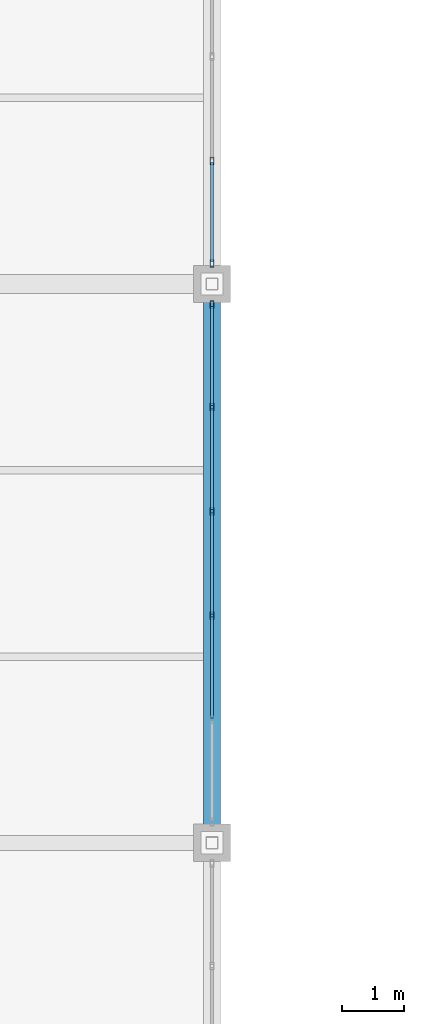
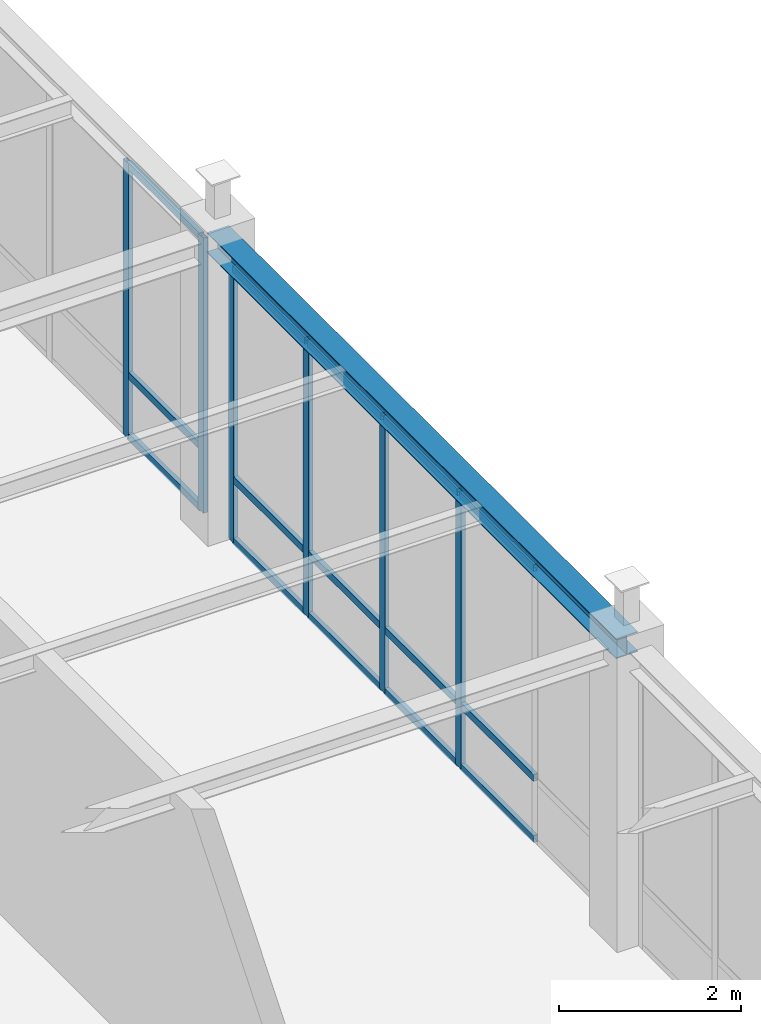
# One storey, part 53 of 97: 21 members, 1 beam, 2 elements without a shape of their own.
"""IFC4 building model written with IfcOpenShell, lengths in metres."""

from ifc_helpers import new_model, si_unit, direction, frame, origin, origin_2d, place, context, subcontext, project, spatial, hollow_rectangle, i_section, extrude, material, material_profile, profile_set, type_object, element, aggregate, save


model = new_model("IFC4")

# Units and contexts
model_context = context("Model", 3, precision=1e-05, world=origin(), true_north=direction((0.0, 1.0)))
body_context = subcontext(model_context, "Body", "Model", "MODEL_VIEW")
ifc_project = project(units=[si_unit("LENGTHUNIT", "METRE"), si_unit("AREAUNIT", "SQUARE_METRE"), si_unit("VOLUMEUNIT", "CUBIC_METRE"), si_unit("PLANEANGLEUNIT", "RADIAN"), si_unit("MASSUNIT", "GRAM", prefix="KILO")], contexts=[model_context])

# Site, building, storey
site_placement = place(None, origin())
site = spatial("IfcSite", under=ifc_project, at=site_placement, CompositionType="ELEMENT")
building_placement = place(site_placement, origin())
building = spatial("IfcBuilding", under=site, at=building_placement, Name="Lykobir Media Centre", CompositionType="ELEMENT")
storey_placement = place(building_placement, frame((0.0, 0.0, 23.39990234375)))
storey = spatial("IfcBuildingStorey", under=building, at=storey_placement, Name="L05", CompositionType="ELEMENT", Elevation=23.39990234375)

# Beam
ifc_material_1 = material(Name="Steel S355", Category="steel")
ifc_material_profile_1 = material_profile(ifc_material_1, i_section(OverallWidth=0.280029296875, OverallDepth=0.27001953125, WebThickness=0.008056640625, FlangeThickness=0.012939453125, at=origin_2d()), Name="HEA 280")
ifc_profile_set_1 = profile_set([ifc_material_profile_1], Name="Steel S355")
beam_type = type_object("IfcBeamType", Name="BM-HEA280", PredefinedType="BEAM", material=ifc_profile_set_1)
beam_placement = place(storey_placement, frame((99.0, 45.0, 3.84521484375), z_axis=(0.0, 1.0, 0.0), x_axis=(-1.0, 0.0, 0.0)))
element("IfcBeam", 1, at=beam_placement, inside=storey, type_object=beam_type, Name="Beam BM-L05-0990-0450-0990-0540-2724", PredefinedType="BEAM", context=body_context, shape_type="SweptSolid", body=[
    extrude(i_section(OverallWidth=0.280029296875, OverallDepth=0.27001953125, WebThickness=0.008056640625, FlangeThickness=0.012939453125, at=origin_2d()), origin(), (0.0, 0.0, 1.0), 9.0),
])

# Curtain wall, members
ifc_material_2 = material(Name="Anodized Aluminium AW-6060", Category="aluminium")
curtain_wall_type = type_object("IfcCurtainWallType", Name="CW-COURT-B", PredefinedType="NOTDEFINED", material=ifc_material_2)
curtain_wall_1_placement = place(storey_placement, origin())
curtain_wall_1 = element("IfcCurtainWall", 2, at=curtain_wall_1_placement, inside=storey, type_object=curtain_wall_type, Name="Curtain wall CW2-L05-0184", PredefinedType="NOTDEFINED")
ifc_material_profile_2 = material_profile(ifc_material_2, hollow_rectangle(XDim=0.054931640625, YDim=0.1201171875, WallThickness=0.003173828125, at=origin_2d()), Name="ALU MULLION 55x120")
ifc_profile_set_2 = profile_set([ifc_material_profile_2], Name="Anodized Aluminium AW-6060")
member_type_1 = type_object("IfcMemberType", Name="CWM-120", PredefinedType="MULLION", material=ifc_profile_set_2)
member_1_placement = place(storey_placement, frame((99.0, 53.66748046875, 0.0), z_axis=(0.0, 0.0, 1.0), x_axis=(1.0, 0.0, 0.0)))
member_1 = element("IfcMember", 3, at=member_1_placement, type_object=member_type_1, Name="CW2-L05-0184 mullion 1", PredefinedType="MULLION", context=body_context, shape_type="SweptSolid", body=[
    extrude(hollow_rectangle(XDim=0.054931640625, YDim=0.1201171875, WallThickness=0.003173828125, at=origin_2d()), origin(), (0.0, 0.0, 1.0), 3.695068359375),
])
member_2_placement = place(storey_placement, frame((99.0, 52.01708984375, 0.0), z_axis=(0.0, 0.0, 1.0), x_axis=(1.0, 0.0, 0.0)))
member_2 = element("IfcMember", 4, at=member_2_placement, type_object=member_type_1, Name="CW2-L05-0184 mullion 2", PredefinedType="MULLION", context=body_context, shape_type="SweptSolid", body=[
    extrude(hollow_rectangle(XDim=0.054931640625, YDim=0.1201171875, WallThickness=0.003173828125, at=origin_2d()), origin(), (0.0, 0.0, 1.0), 3.695068359375),
])
member_3_placement = place(storey_placement, frame((99.0, 50.339111328125, 0.0), z_axis=(0.0, 0.0, 1.0), x_axis=(1.0, 0.0, 0.0)))
member_3 = element("IfcMember", 5, at=member_3_placement, type_object=member_type_1, Name="CW2-L05-0184 mullion 3", PredefinedType="MULLION", context=body_context, shape_type="SweptSolid", body=[
    extrude(hollow_rectangle(XDim=0.054931640625, YDim=0.1201171875, WallThickness=0.003173828125, at=origin_2d()), origin(), (0.0, 0.0, 1.0), 3.695068359375),
])
member_4_placement = place(storey_placement, frame((99.0, 48.660888671875, 0.0), z_axis=(0.0, 0.0, 1.0), x_axis=(1.0, 0.0, 0.0)))
member_4 = element("IfcMember", 6, at=member_4_placement, type_object=member_type_1, Name="CW2-L05-0184 mullion 4", PredefinedType="MULLION", context=body_context, shape_type="SweptSolid", body=[
    extrude(hollow_rectangle(XDim=0.054931640625, YDim=0.1201171875, WallThickness=0.003173828125, at=origin_2d()), origin(), (0.0, 0.0, 1.0), 3.695068359375),
])

curtain_wall_2_placement = place(storey_placement, origin())
curtain_wall_2 = element("IfcCurtainWall", 7, at=curtain_wall_2_placement, inside=storey, type_object=curtain_wall_type, Name="Curtain wall CW2-L05-0185", PredefinedType="NOTDEFINED")
member_5_placement = place(storey_placement, frame((99.0, 55.98291015625, 0.0), z_axis=(0.0, 0.0, 1.0), x_axis=(1.0, 0.0, 0.0)))
member_5 = element("IfcMember", 8, at=member_5_placement, type_object=member_type_1, Name="CW2-L05-0185 mullion 5", PredefinedType="MULLION", context=body_context, shape_type="SweptSolid", body=[
    extrude(hollow_rectangle(XDim=0.054931640625, YDim=0.1201171875, WallThickness=0.003173828125, at=origin_2d()), origin(), (0.0, 0.0, 1.0), 3.695068359375),
])
member_6_placement = place(storey_placement, frame((99.0, 54.33251953125, 0.0), z_axis=(0.0, 0.0, 1.0), x_axis=(1.0, 0.0, 0.0)))
member_6 = element("IfcMember", 9, at=member_6_placement, type_object=member_type_1, Name="CW2-L05-0185 mullion 6", PredefinedType="MULLION", context=body_context, shape_type="SweptSolid", body=[
    extrude(hollow_rectangle(XDim=0.054931640625, YDim=0.1201171875, WallThickness=0.003173828125, at=origin_2d()), origin(), (0.0, 0.0, 1.0), 3.695068359375),
])

# Member
ifc_material_profile_3 = material_profile(ifc_material_2, hollow_rectangle(XDim=0.054931640625, YDim=0.094970703125, WallThickness=0.0029296875, at=origin_2d()), Name="ALU TRANSOM 55x95")
ifc_profile_set_3 = profile_set([ifc_material_profile_3], Name="Anodized Aluminium AW-6060")
member_type_2 = type_object("IfcMemberType", Name="CWT-095", PredefinedType="USERDEFINED", material=ifc_profile_set_3)
member_7_placement = place(storey_placement, frame((99.0, 53.639892578125, 0.027587890625), z_axis=(0.0, -1.0, 0.0), x_axis=(1.0, 0.0, 0.0)))
member_7 = element("IfcMember", 10, at=member_7_placement, type_object=member_type_2, Name="CW2-L05-0184 transom 1.1", ObjectType="TRANSOM", PredefinedType="USERDEFINED", context=body_context, shape_type="SweptSolid", body=[
    extrude(hollow_rectangle(XDim=0.054931640625, YDim=0.094970703125, WallThickness=0.0029296875, at=origin_2d()), origin(), (0.0, 0.0, 1.0), 1.595458984375),
])

member_8_placement = place(storey_placement, frame((99.0, 53.639892578125, 0.85009765625), z_axis=(0.0, -1.0, 0.0), x_axis=(1.0, 0.0, 0.0)))
member_8 = element("IfcMember", 11, at=member_8_placement, type_object=member_type_2, Name="CW2-L05-0184 transom 1.2", ObjectType="TRANSOM", PredefinedType="USERDEFINED", context=body_context, shape_type="SweptSolid", body=[
    extrude(hollow_rectangle(XDim=0.054931640625, YDim=0.094970703125, WallThickness=0.0029296875, at=origin_2d()), origin(), (0.0, 0.0, 1.0), 1.595458984375),
])

member_9_placement = place(storey_placement, frame((99.0, 53.639892578125, 3.66748046875), z_axis=(0.0, -1.0, 0.0), x_axis=(1.0, 0.0, 0.0)))
member_9 = element("IfcMember", 12, at=member_9_placement, type_object=member_type_2, Name="CW2-L05-0184 transom 1.3", ObjectType="TRANSOM", PredefinedType="USERDEFINED", context=body_context, shape_type="SweptSolid", body=[
    extrude(hollow_rectangle(XDim=0.054931640625, YDim=0.094970703125, WallThickness=0.0029296875, at=origin_2d()), origin(), (0.0, 0.0, 1.0), 1.595458984375),
])

member_10_placement = place(storey_placement, frame((99.0, 51.989501953125, 0.027587890625), z_axis=(0.0, -1.0, 0.0), x_axis=(1.0, 0.0, 0.0)))
member_10 = element("IfcMember", 13, at=member_10_placement, type_object=member_type_2, Name="CW2-L05-0184 transom 2.1", ObjectType="TRANSOM", PredefinedType="USERDEFINED", context=body_context, shape_type="SweptSolid", body=[
    extrude(hollow_rectangle(XDim=0.054931640625, YDim=0.094970703125, WallThickness=0.0029296875, at=origin_2d()), origin(), (0.0, 0.0, 1.0), 1.623046875),
])

member_11_placement = place(storey_placement, frame((99.0, 51.989501953125, 0.85009765625), z_axis=(0.0, -1.0, 0.0), x_axis=(1.0, 0.0, 0.0)))
member_11 = element("IfcMember", 14, at=member_11_placement, type_object=member_type_2, Name="CW2-L05-0184 transom 2.2", ObjectType="TRANSOM", PredefinedType="USERDEFINED", context=body_context, shape_type="SweptSolid", body=[
    extrude(hollow_rectangle(XDim=0.054931640625, YDim=0.094970703125, WallThickness=0.0029296875, at=origin_2d()), origin(), (0.0, 0.0, 1.0), 1.623046875),
])

member_12_placement = place(storey_placement, frame((99.0, 51.989501953125, 3.66748046875), z_axis=(0.0, -1.0, 0.0), x_axis=(1.0, 0.0, 0.0)))
member_12 = element("IfcMember", 15, at=member_12_placement, type_object=member_type_2, Name="CW2-L05-0184 transom 2.3", ObjectType="TRANSOM", PredefinedType="USERDEFINED", context=body_context, shape_type="SweptSolid", body=[
    extrude(hollow_rectangle(XDim=0.054931640625, YDim=0.094970703125, WallThickness=0.0029296875, at=origin_2d()), origin(), (0.0, 0.0, 1.0), 1.623046875),
])

member_13_placement = place(storey_placement, frame((99.0, 50.3115234375, 0.027587890625), z_axis=(0.0, -1.0, 0.0), x_axis=(1.0, 0.0, 0.0)))
member_13 = element("IfcMember", 16, at=member_13_placement, type_object=member_type_2, Name="CW2-L05-0184 transom 3.1", ObjectType="TRANSOM", PredefinedType="USERDEFINED", context=body_context, shape_type="SweptSolid", body=[
    extrude(hollow_rectangle(XDim=0.054931640625, YDim=0.094970703125, WallThickness=0.0029296875, at=origin_2d()), origin(), (0.0, 0.0, 1.0), 1.623046875),
])

member_14_placement = place(storey_placement, frame((99.0, 50.3115234375, 0.85009765625), z_axis=(0.0, -1.0, 0.0), x_axis=(1.0, 0.0, 0.0)))
member_14 = element("IfcMember", 17, at=member_14_placement, type_object=member_type_2, Name="CW2-L05-0184 transom 3.2", ObjectType="TRANSOM", PredefinedType="USERDEFINED", context=body_context, shape_type="SweptSolid", body=[
    extrude(hollow_rectangle(XDim=0.054931640625, YDim=0.094970703125, WallThickness=0.0029296875, at=origin_2d()), origin(), (0.0, 0.0, 1.0), 1.623046875),
])

member_15_placement = place(storey_placement, frame((99.0, 50.3115234375, 3.66748046875), z_axis=(0.0, -1.0, 0.0), x_axis=(1.0, 0.0, 0.0)))
member_15 = element("IfcMember", 18, at=member_15_placement, type_object=member_type_2, Name="CW2-L05-0184 transom 3.3", ObjectType="TRANSOM", PredefinedType="USERDEFINED", context=body_context, shape_type="SweptSolid", body=[
    extrude(hollow_rectangle(XDim=0.054931640625, YDim=0.094970703125, WallThickness=0.0029296875, at=origin_2d()), origin(), (0.0, 0.0, 1.0), 1.623046875),
])

member_16_placement = place(storey_placement, frame((99.0, 48.633544921875, 0.027587890625), z_axis=(0.0, -1.0, 0.0), x_axis=(1.0, 0.0, 0.0)))
member_16 = element("IfcMember", 19, at=member_16_placement, type_object=member_type_2, Name="CW2-L05-0184 transom 4.1", ObjectType="TRANSOM", PredefinedType="USERDEFINED", context=body_context, shape_type="SweptSolid", body=[
    extrude(hollow_rectangle(XDim=0.054931640625, YDim=0.094970703125, WallThickness=0.0029296875, at=origin_2d()), origin(), (0.0, 0.0, 1.0), 1.623046875),
])

member_17_placement = place(storey_placement, frame((99.0, 48.633544921875, 0.85009765625), z_axis=(0.0, -1.0, 0.0), x_axis=(1.0, 0.0, 0.0)))
member_17 = element("IfcMember", 20, at=member_17_placement, type_object=member_type_2, Name="CW2-L05-0184 transom 4.2", ObjectType="TRANSOM", PredefinedType="USERDEFINED", context=body_context, shape_type="SweptSolid", body=[
    extrude(hollow_rectangle(XDim=0.054931640625, YDim=0.094970703125, WallThickness=0.0029296875, at=origin_2d()), origin(), (0.0, 0.0, 1.0), 1.623046875),
])

member_18_placement = place(storey_placement, frame((99.0, 48.633544921875, 3.66748046875), z_axis=(0.0, -1.0, 0.0), x_axis=(1.0, 0.0, 0.0)))
member_18 = element("IfcMember", 21, at=member_18_placement, type_object=member_type_2, Name="CW2-L05-0184 transom 4.3", ObjectType="TRANSOM", PredefinedType="USERDEFINED", context=body_context, shape_type="SweptSolid", body=[
    extrude(hollow_rectangle(XDim=0.054931640625, YDim=0.094970703125, WallThickness=0.0029296875, at=origin_2d()), origin(), (0.0, 0.0, 1.0), 1.623046875),
])

aggregate(curtain_wall_1, [member_1, member_2, member_3, member_4, member_7, member_8, member_9, member_10, member_11, member_12, member_13, member_14, member_15, member_16, member_17, member_18])

member_19_placement = place(storey_placement, frame((99.0, 55.95556640625, 0.027587890625), z_axis=(0.0, -1.0, 0.0), x_axis=(1.0, 0.0, 0.0)))
member_19 = element("IfcMember", 22, at=member_19_placement, type_object=member_type_2, Name="CW2-L05-0185 transom 5.1", ObjectType="TRANSOM", PredefinedType="USERDEFINED", context=body_context, shape_type="SweptSolid", body=[
    extrude(hollow_rectangle(XDim=0.054931640625, YDim=0.094970703125, WallThickness=0.0029296875, at=origin_2d()), origin(), (0.0, 0.0, 1.0), 1.595458984375),
])

member_20_placement = place(storey_placement, frame((99.0, 55.95556640625, 0.85009765625), z_axis=(0.0, -1.0, 0.0), x_axis=(1.0, 0.0, 0.0)))
member_20 = element("IfcMember", 23, at=member_20_placement, type_object=member_type_2, Name="CW2-L05-0185 transom 5.2", ObjectType="TRANSOM", PredefinedType="USERDEFINED", context=body_context, shape_type="SweptSolid", body=[
    extrude(hollow_rectangle(XDim=0.054931640625, YDim=0.094970703125, WallThickness=0.0029296875, at=origin_2d()), origin(), (0.0, 0.0, 1.0), 1.595458984375),
])

member_21_placement = place(storey_placement, frame((99.0, 55.95556640625, 3.66748046875), z_axis=(0.0, -1.0, 0.0), x_axis=(1.0, 0.0, 0.0)))
member_21 = element("IfcMember", 24, at=member_21_placement, type_object=member_type_2, Name="CW2-L05-0185 transom 5.3", ObjectType="TRANSOM", PredefinedType="USERDEFINED", context=body_context, shape_type="SweptSolid", body=[
    extrude(hollow_rectangle(XDim=0.054931640625, YDim=0.094970703125, WallThickness=0.0029296875, at=origin_2d()), origin(), (0.0, 0.0, 1.0), 1.595458984375),
])

aggregate(curtain_wall_2, [member_5, member_6, member_19, member_20, member_21])

save(model, "model.ifc")
